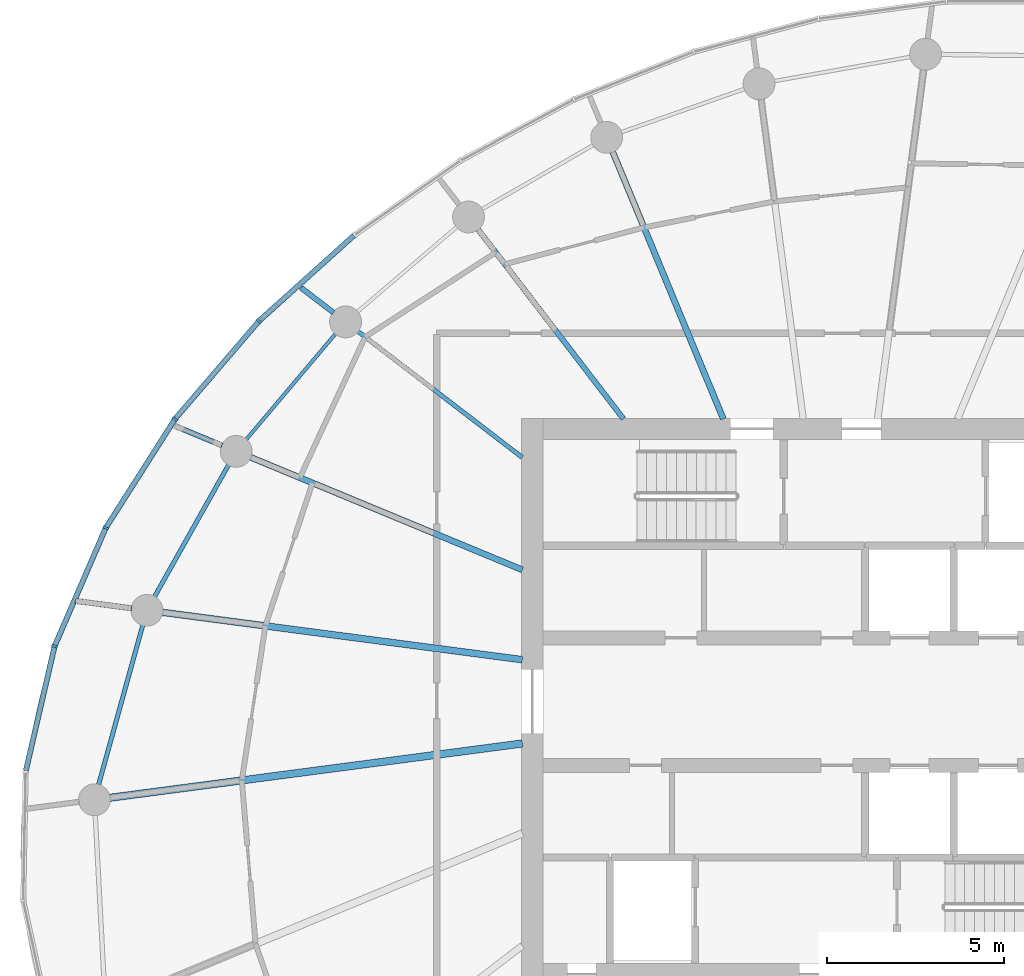
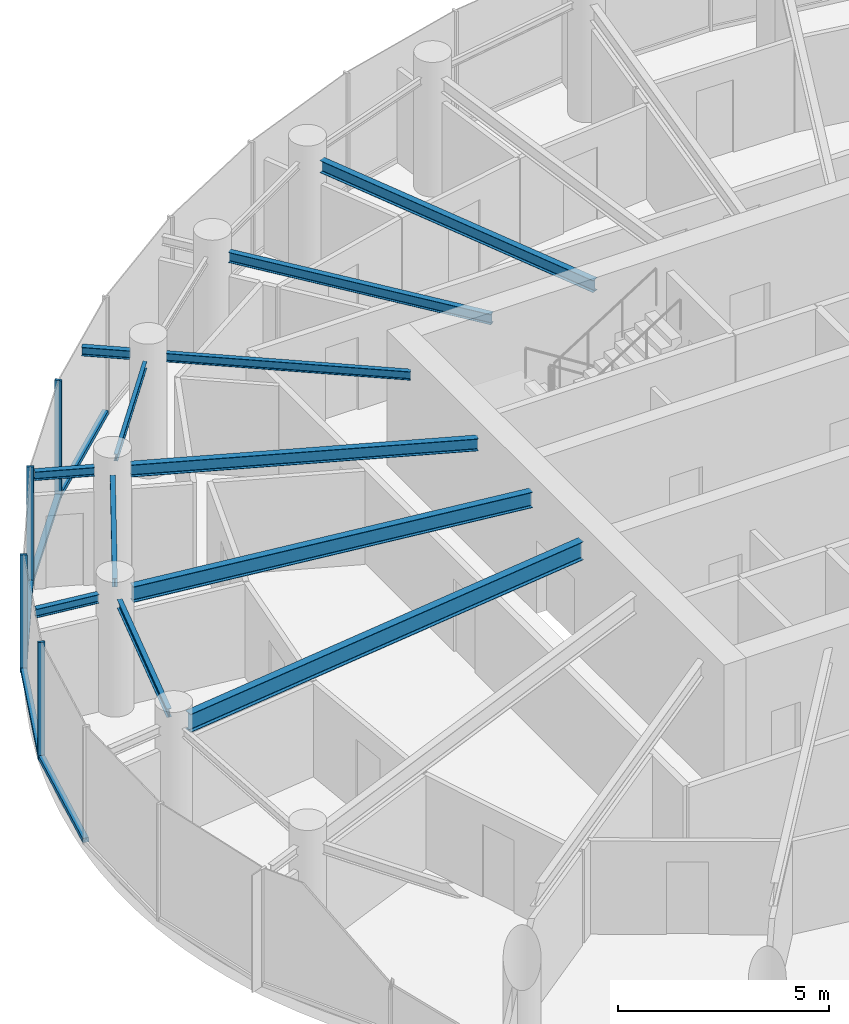
# One storey, part 4 of 14: 12 beams, 9 members, 2 elements without a shape of their own.
"""IFC4 building model written with IfcOpenShell, lengths in metres."""

from ifc_helpers import new_model, si_unit, direction, frame, origin, origin_2d, place, context, subcontext, project, spatial, rectangle, i_section, extrude, source, transform, mapped, material, layer, layer_set, material_profile, profile_set, type_object, element, aggregate, save


model = new_model("IFC4")

# Units and contexts
model_context = context("Model", 3, precision=1e-05, world=origin(), true_north=direction((0.0, 1.0)))
body_context = subcontext(model_context, "Body", "Model", "MODEL_VIEW")
ifc_project = project(units=[si_unit("LENGTHUNIT", "METRE"), si_unit("AREAUNIT", "SQUARE_METRE"), si_unit("VOLUMEUNIT", "CUBIC_METRE"), si_unit("PLANEANGLEUNIT", "RADIAN"), si_unit("MASSUNIT", "GRAM", prefix="KILO")], contexts=[model_context])

# Site, building, storey
site_placement = place(None, origin())
site = spatial("IfcSite", under=ifc_project, at=site_placement, CompositionType="ELEMENT")
building_placement = place(site_placement, origin())
building = spatial("IfcBuilding", under=site, at=building_placement, Name="Spindrift Exchange Tower", CompositionType="ELEMENT")
storey_placement = place(building_placement, frame((0.0, 0.0, 226.699951171875)))
storey = spatial("IfcBuildingStorey", under=building, at=storey_placement, Name="L55", CompositionType="ELEMENT", Elevation=226.699951171875)

# Beams
ifc_material_1 = material(Name="Steel Grade 300", Category="steel")
ifc_material_profile_1 = material_profile(ifc_material_1, i_section(OverallWidth=0.208984375, OverallDepth=0.528076171875, WebThickness=0.009521484375, FlangeThickness=0.01318359375, FilletRadius=0.013916015625, at=origin_2d()), Name="530UB82.0")
ifc_profile_set_1 = profile_set([ifc_material_profile_1], Name="Steel Grade 300")
beam_type_1 = type_object("IfcBeamType", Name="Floor Beam 530UB82.0 Steel Grade 300", PredefinedType="BEAM", material=ifc_profile_set_1)
shared_shape_1 = source(origin(), body_context, "Body", "SweptSolid", [
    extrude(i_section(OverallWidth=0.208984375, OverallDepth=0.528076171875, WebThickness=0.009521484375, FlangeThickness=0.01318359375, FilletRadius=0.013916015625, at=origin_2d()), origin(), (0.0, 0.0, 1.0), 11.75634765625),
])
beam_1_placement = place(storey_placement, frame((43.019775390625, 46.817626953125, 3.135986328125), z_axis=(-0.991445811455, -0.13051897543, 0.0), x_axis=(0.13051897543, -0.991445811455, 0.0)))
element("IfcBeam", 1, at=beam_1_placement, inside=storey, type_object=beam_type_1, Name="L55 radial beam R13A", PredefinedType="BEAM", context=body_context, shape_type="MappedRepresentation", body=[
    mapped(shared_shape_1, transform((0.0, 0.0, 0.0), scale=1.0)),
])
ifc_material_profile_2 = material_profile(ifc_material_1, i_section(OverallWidth=0.1708984375, OverallDepth=0.35205078125, WebThickness=0.0068359375, FlangeThickness=0.009765625, FilletRadius=0.013916015625, at=origin_2d()), Name="360UB44.7")
ifc_profile_set_2 = profile_set([ifc_material_profile_2], Name="Steel Grade 300")
beam_type_2 = type_object("IfcBeamType", Name="Floor Beam 360UB44.7 Steel Grade 300", PredefinedType="BEAM", material=ifc_profile_set_2)
shared_shape_2 = source(origin(), body_context, "Body", "SweptSolid", [
    extrude(i_section(OverallWidth=0.1708984375, OverallDepth=0.35205078125, WebThickness=0.0068359375, FlangeThickness=0.009765625, FilletRadius=0.013916015625, at=origin_2d()), origin(), (0.0, 0.0, 1.0), 8.1748046875),
])
beam_2_placement = place(storey_placement, frame((48.69384765625, 55.9814453125, 3.22412109375), z_axis=(-0.382655117626, 0.923891260352, 0.0), x_axis=(-0.923891260352, -0.382655117626, 0.0)))
element("IfcBeam", 2, at=beam_2_placement, inside=storey, type_object=beam_type_2, Name="L55 radial beam R08A", PredefinedType="BEAM", context=body_context, shape_type="MappedRepresentation", body=[
    mapped(shared_shape_2, transform((0.0, 0.0, 0.0), scale=1.0)),
])
ifc_material_profile_3 = material_profile(ifc_material_1, i_section(OverallWidth=0.14892578125, OverallDepth=0.298095703125, WebThickness=0.005615234375, FlangeThickness=0.008056640625, FilletRadius=0.012939453125, at=origin_2d()), Name="310UB32.0")
ifc_profile_set_3 = profile_set([ifc_material_profile_3], Name="Steel Grade 300")
beam_type_3 = type_object("IfcBeamType", Name="Floor Beam 310UB32.0 Steel Grade 300", PredefinedType="BEAM", material=ifc_profile_set_3)
shared_shape_3 = source(origin(), body_context, "Body", "SweptSolid", [
    extrude(i_section(OverallWidth=0.14892578125, OverallDepth=0.298095703125, WebThickness=0.005615234375, FlangeThickness=0.008056640625, FilletRadius=0.012939453125, at=origin_2d()), origin(), (0.0, 0.0, 1.0), 6.753173828125),
])
beam_3_placement = place(storey_placement, frame((45.87353515625, 55.984130859375, 3.2509765625), z_axis=(-0.608761639459, 0.793353178807, 0.0), x_axis=(-0.793353178807, -0.608761639459, 0.0)))
element("IfcBeam", 3, at=beam_3_placement, inside=storey, type_object=beam_type_3, Name="L55 radial beam R09A", PredefinedType="BEAM", context=body_context, shape_type="MappedRepresentation", body=[
    mapped(shared_shape_3, transform((0.0, 0.0, 0.0), scale=1.0)),
])
ifc_material_profile_4 = material_profile(ifc_material_1, i_section(OverallWidth=0.1240234375, OverallDepth=0.248046875, WebThickness=0.0048828125, FlangeThickness=0.008056640625, FilletRadius=0.011962890625, at=origin_2d()), Name="250UB25.7")
ifc_profile_set_4 = profile_set([ifc_material_profile_4], Name="Steel Grade 300")
beam_type_4 = type_object("IfcBeamType", Name="Floor Beam 250UB25.7 Steel Grade 300", PredefinedType="BEAM", material=ifc_profile_set_4)
shared_shape_4 = source(origin(), body_context, "Body", "SweptSolid", [
    extrude(i_section(OverallWidth=0.1240234375, OverallDepth=0.248046875, WebThickness=0.0048828125, FlangeThickness=0.008056640625, FilletRadius=0.011962890625, at=origin_2d()), origin(), (0.0, 0.0, 1.0), 5.855712890625),
])
beam_4_placement = place(storey_placement, frame((43.015869140625, 54.893798828125, 3.276123046875), z_axis=(-0.793362708479, 0.608749219954, 0.0), x_axis=(-0.608749219954, -0.793362708479, 0.0)))
element("IfcBeam", 4, at=beam_4_placement, inside=storey, type_object=beam_type_4, Name="L55 radial beam R10A", PredefinedType="BEAM", context=body_context, shape_type="MappedRepresentation", body=[
    mapped(shared_shape_4, transform((0.0, 0.0, 0.0), scale=1.0)),
])
shared_shape_5 = source(origin(), body_context, "Body", "SweptSolid", [
    extrude(i_section(OverallWidth=0.1708984375, OverallDepth=0.35205078125, WebThickness=0.0068359375, FlangeThickness=0.009765625, FilletRadius=0.013916015625, at=origin_2d()), origin(), (0.0, 0.0, 1.0), 8.3134765625),
])
beam_5_placement = place(storey_placement, frame((43.0185546875, 51.72021484375, 3.22412109375), z_axis=(-0.923881179957, 0.382679455055, 0.0), x_axis=(-0.382679455055, -0.923881179957, 0.0)))
element("IfcBeam", 5, at=beam_5_placement, inside=storey, type_object=beam_type_2, Name="L55 radial beam R11A", PredefinedType="BEAM", context=body_context, shape_type="MappedRepresentation", body=[
    mapped(shared_shape_5, transform((0.0, 0.0, 0.0), scale=1.0)),
])
ifc_material_profile_5 = material_profile(ifc_material_1, i_section(OverallWidth=0.18994140625, OverallDepth=0.4541015625, WebThickness=0.008544921875, FlangeThickness=0.0126953125, FilletRadius=0.013916015625, at=origin_2d()), Name="460UB67.1")
ifc_profile_set_5 = profile_set([ifc_material_profile_5], Name="Steel Grade 300")
beam_type_5 = type_object("IfcBeamType", Name="Floor Beam 460UB67.1 Steel Grade 300", PredefinedType="BEAM", material=ifc_profile_set_5)
shared_shape_6 = source(origin(), body_context, "Body", "SweptSolid", [
    extrude(i_section(OverallWidth=0.18994140625, OverallDepth=0.4541015625, WebThickness=0.008544921875, FlangeThickness=0.0126953125, FilletRadius=0.013916015625, at=origin_2d()), origin(), (0.0, 0.0, 1.0), 10.262451171875),
])
beam_6_placement = place(storey_placement, frame((43.019775390625, 49.182373046875, 3.173095703125), z_axis=(-0.991446763371, 0.130511744304, 0.0), x_axis=(-0.130511744304, -0.991446763371, 0.0)))
element("IfcBeam", 6, at=beam_6_placement, inside=storey, type_object=beam_type_5, Name="L55 radial beam R12A", PredefinedType="BEAM", context=body_context, shape_type="MappedRepresentation", body=[
    mapped(shared_shape_6, transform((0.0, 0.0, 0.0), scale=1.0)),
])
ifc_material_profile_6 = material_profile(ifc_material_1, i_section(OverallWidth=0.09912109375, OverallDepth=0.197998046875, WebThickness=0.00439453125, FlangeThickness=0.007080078125, FilletRadius=0.010986328125, at=origin_2d()), Name="200UB18.2")
ifc_profile_set_6 = profile_set([ifc_material_profile_6], Name="Steel Grade 300")
beam_type_6 = type_object("IfcBeamType", Name="Edge Beam 200UB18.2 Steel Grade 300", PredefinedType="SPANDREL", material=ifc_profile_set_6)
shared_shape_7 = source(origin(), body_context, "Body", "SweptSolid", [
    extrude(i_section(OverallWidth=0.09912109375, OverallDepth=0.197998046875, WebThickness=0.00439453125, FlangeThickness=0.007080078125, FilletRadius=0.010986328125, at=origin_2d()), origin(), (0.0, 0.0, 1.0), 3.92431640625),
])
beam_7_placement = place(storey_placement, frame((37.75146484375, 58.391845703125, 3.301025390625), z_axis=(-0.645498720032, -0.763761351757, 0.0), x_axis=(0.763761351757, -0.645498720032, 0.0)))
element("IfcBeam", 7, at=beam_7_placement, inside=storey, type_object=beam_type_6, Name="L55 edge beam E10", PredefinedType="SPANDREL", context=body_context, shape_type="MappedRepresentation", body=[
    mapped(shared_shape_7, transform((0.0, 0.0, 0.0), scale=1.0)),
])
ifc_material_profile_7 = material_profile(ifc_material_1, i_section(OverallWidth=0.1240234375, OverallDepth=0.248046875, WebThickness=0.0048828125, FlangeThickness=0.008056640625, FilletRadius=0.011962890625, at=origin_2d()), Name="250UB25.7")
ifc_profile_set_7 = profile_set([ifc_material_profile_7], Name="Steel Grade 300")
beam_type_7 = type_object("IfcBeamType", Name="Edge Beam 250UB25.7 Steel Grade 300", PredefinedType="SPANDREL", material=ifc_profile_set_7)
shared_shape_8 = source(origin(), body_context, "Body", "SweptSolid", [
    extrude(i_section(OverallWidth=0.1240234375, OverallDepth=0.248046875, WebThickness=0.0048828125, FlangeThickness=0.008056640625, FilletRadius=0.011962890625, at=origin_2d()), origin(), (0.0, 0.0, 1.0), 4.2880859375),
])
beam_8_placement = place(storey_placement, frame((34.72998046875, 54.69140625, 3.276123046875), z_axis=(-0.489804347673, -0.871832381253, 0.0), x_axis=(0.871832381253, -0.489804347673, 0.0)))
element("IfcBeam", 8, at=beam_8_placement, inside=storey, type_object=beam_type_7, Name="L55 edge beam E11", PredefinedType="SPANDREL", context=body_context, shape_type="MappedRepresentation", body=[
    mapped(shared_shape_8, transform((0.0, 0.0, 0.0), scale=1.0)),
])
shared_shape_9 = source(origin(), body_context, "Body", "SweptSolid", [
    extrude(i_section(OverallWidth=0.1240234375, OverallDepth=0.248046875, WebThickness=0.0048828125, FlangeThickness=0.008056640625, FilletRadius=0.011962890625, at=origin_2d()), origin(), (0.0, 0.0, 1.0), 4.69189453125),
])
beam_9_placement = place(storey_placement, frame((32.30419921875, 50.16357421875, 3.276123046875), z_axis=(-0.266774248618, -0.963759046792, 0.0), x_axis=(0.963759046792, -0.266774248618, 0.0)))
element("IfcBeam", 9, at=beam_9_placement, inside=storey, type_object=beam_type_7, Name="L55 edge beam E12", PredefinedType="SPANDREL", context=body_context, shape_type="MappedRepresentation", body=[
    mapped(shared_shape_9, transform((0.0, 0.0, 0.0), scale=1.0)),
])
ifc_material_profile_8 = material_profile(ifc_material_1, i_section(OverallWidth=0.14599609375, OverallDepth=0.251953125, WebThickness=0.006103515625, FlangeThickness=0.008544921875, FilletRadius=0.011962890625, at=origin_2d()), Name="250UB31.4")
ifc_profile_set_8 = profile_set([ifc_material_profile_8], Name="Steel Grade 300")
beam_type_8 = type_object("IfcBeamType", Name="Cantilever Beam 250UB31.4 Steel Grade 300", PredefinedType="BEAM", material=ifc_profile_set_8)
shared_shape_10 = source(origin(), body_context, "Body", "SweptSolid", [
    extrude(i_section(OverallWidth=0.14599609375, OverallDepth=0.251953125, WebThickness=0.006103515625, FlangeThickness=0.008544921875, FilletRadius=0.011962890625, at=origin_2d()), origin(), (0.0, 0.0, 1.0), 1.15576171875),
])
beam_10_placement = place(storey_placement, frame((37.68798828125, 58.982177734375, 3.274169921875), z_axis=(-0.793463533488, 0.608617795521, 0.0), x_axis=(-0.608617795521, -0.793463533488, 0.0)))
element("IfcBeam", 10, at=beam_10_placement, inside=storey, type_object=beam_type_8, Name="L55 cantilever beam R10T", PredefinedType="BEAM", context=body_context, shape_type="MappedRepresentation", body=[
    mapped(shared_shape_10, transform((0.0, 0.0, 0.0), scale=1.0)),
])
shared_shape_11 = source(origin(), body_context, "Body", "SweptSolid", [
    extrude(i_section(OverallWidth=0.14599609375, OverallDepth=0.251953125, WebThickness=0.006103515625, FlangeThickness=0.008544921875, FilletRadius=0.011962890625, at=origin_2d()), origin(), (0.0, 0.0, 1.0), 1.442138671875),
])
beam_11_placement = place(storey_placement, frame((34.543212890625, 55.230712890625, 3.274169921875), z_axis=(-0.923841425001, 0.382775419081, 0.0), x_axis=(-0.382775419081, -0.923841425001, 0.0)))
element("IfcBeam", 11, at=beam_11_placement, inside=storey, type_object=beam_type_8, Name="L55 cantilever beam R11T", PredefinedType="BEAM", context=body_context, shape_type="MappedRepresentation", body=[
    mapped(shared_shape_11, transform((0.0, 0.0, 0.0), scale=1.0)),
])
shared_shape_12 = source(origin(), body_context, "Body", "SweptSolid", [
    extrude(i_section(OverallWidth=0.14599609375, OverallDepth=0.251953125, WebThickness=0.006103515625, FlangeThickness=0.008544921875, FilletRadius=0.011962890625, at=origin_2d()), origin(), (0.0, 0.0, 1.0), 1.611572265625),
])
beam_12_placement = place(storey_placement, frame((31.99267578125, 50.634033203125, 3.274169921875), z_axis=(-0.991435721486, 0.130595597787, 0.0), x_axis=(-0.130595597787, -0.991435721486, 0.0)))
element("IfcBeam", 12, at=beam_12_placement, inside=storey, type_object=beam_type_8, Name="L55 cantilever beam R12T", PredefinedType="BEAM", context=body_context, shape_type="MappedRepresentation", body=[
    mapped(shared_shape_12, transform((0.0, 0.0, 0.0), scale=1.0)),
])

# Curtain wall, members
ifc_material_2 = material(Name="Fritted laminated glass with bronze frame", Category="glass")
ifc_layer = layer(ifc_material_2, 0.169921875)
ifc_layer_set = layer_set([ifc_layer], Name="ZONE 4 BRONZE FRITTED WALL")
curtain_wall_type = type_object("IfcCurtainWallType", Name="ZONE 4 BRONZE FRITTED WALL", PredefinedType="NOTDEFINED", material=ifc_layer_set)
curtain_wall_1_placement = place(storey_placement, origin())
curtain_wall_1 = element("IfcCurtainWall", 13, at=curtain_wall_1_placement, inside=storey, type_object=curtain_wall_type, Name="L55 Zone 4 Bronze Fritted Wall run 3", PredefinedType="NOTDEFINED")
ifc_material_3 = material(Name="Bronze anodised aluminium", Category="aluminium")
ifc_material_profile_9 = material_profile(ifc_material_3, rectangle(XDim=0.14990234375, YDim=0.125, at=origin_2d()), Name="ZONE 4 BRONZE FRITTED WALL TRANSOM 150X125")
ifc_profile_set_9 = profile_set([ifc_material_profile_9], Name="Bronze anodised aluminium")
member_type_1 = type_object("IfcMemberType", Name="ZONE 4 BRONZE FRITTED WALL TRANSOM 150X125", PredefinedType="USERDEFINED", material=ifc_profile_set_9)
shared_shape_13 = source(origin(), body_context, "Body", "SweptSolid", [
    extrude(rectangle(XDim=0.14990234375, YDim=0.125, at=origin_2d()), origin(), (0.0, 0.0, 1.0), 3.5771484375),
])
member_1_placement = place(storey_placement, frame((35.56103515625, 58.7197265625, 0.0625), z_axis=(-0.650470951745, -0.759531132302, 0.0), x_axis=(0.759531132302, -0.650470951745, 0.0)))
member_1 = element("IfcMember", 14, at=member_1_placement, type_object=member_type_1, Name="L55 transom CW-4.13", ObjectType="TRANSOM", PredefinedType="USERDEFINED", context=body_context, shape_type="MappedRepresentation", body=[
    mapped(shared_shape_13, transform((0.0, 0.0, 0.0), scale=1.0)),
])
shared_shape_14 = source(origin(), body_context, "Body", "SweptSolid", [
    extrude(rectangle(XDim=0.14990234375, YDim=0.125, at=origin_2d()), origin(), (0.0, 0.0, 1.0), 3.575439453125),
])
member_2_placement = place(storey_placement, frame((31.2451171875, 52.8759765625, 0.0625), z_axis=(-0.396925143263, -0.917850984989, 0.0), x_axis=(0.917850984989, -0.396925143263, 0.0)))
member_2 = element("IfcMember", 15, at=member_2_placement, type_object=member_type_1, Name="L55 transom CW-4.15", ObjectType="TRANSOM", PredefinedType="USERDEFINED", context=body_context, shape_type="MappedRepresentation", body=[
    mapped(shared_shape_14, transform((0.0, 0.0, 0.0), scale=1.0)),
])

# Curtain wall, member
curtain_wall_2_placement = place(storey_placement, origin())
curtain_wall_2 = element("IfcCurtainWall", 16, at=curtain_wall_2_placement, inside=storey, type_object=curtain_wall_type, Name="L55 Zone 4 Bronze Fritted Wall run 2", PredefinedType="NOTDEFINED")
shared_shape_15 = source(origin(), body_context, "Body", "SweptSolid", [
    extrude(rectangle(XDim=0.14990234375, YDim=0.125, at=origin_2d()), origin(), (0.0, 0.0, 1.0), 3.577392578125),
])
member_3_placement = place(storey_placement, frame((38.26416015625, 61.16064453125, 0.0625), z_axis=(-0.742964904844, -0.669330374457, 0.0), x_axis=(0.669330374457, -0.742964904844, 0.0)))
member_3 = element("IfcMember", 17, at=member_3_placement, type_object=member_type_1, Name="L55 transom CW-4.12", ObjectType="TRANSOM", PredefinedType="USERDEFINED", context=body_context, shape_type="MappedRepresentation", body=[
    mapped(shared_shape_15, transform((0.0, 0.0, 0.0), scale=1.0)),
])
aggregate(curtain_wall_2, [member_3])

# Member
shared_shape_16 = source(origin(), body_context, "Body", "SweptSolid", [
    extrude(rectangle(XDim=0.14990234375, YDim=0.125, at=origin_2d()), origin(), (0.0, 0.0, 1.0), 3.57421875),
])
member_4_placement = place(storey_placement, frame((29.8056640625, 49.53271484375, 0.0625), z_axis=(-0.224994194389, -0.974360104115, 0.0), x_axis=(0.974360104115, -0.224994194389, 0.0)))
member_4 = element("IfcMember", 18, at=member_4_placement, type_object=member_type_1, Name="L55 transom CW-4.16", ObjectType="TRANSOM", PredefinedType="USERDEFINED", context=body_context, shape_type="MappedRepresentation", body=[
    mapped(shared_shape_16, transform((0.0, 0.0, 0.0), scale=1.0)),
])

shared_shape_17 = source(origin(), body_context, "Body", "SweptSolid", [
    extrude(rectangle(XDim=0.14990234375, YDim=0.125, at=origin_2d()), origin(), (0.0, 0.0, 1.0), 3.576416015625),
])
member_5_placement = place(storey_placement, frame((33.195556640625, 55.95068359375, 0.0625), z_axis=(-0.53688432613, -0.843655866071, 0.0), x_axis=(0.843655866071, -0.53688432613, 0.0)))
member_5 = element("IfcMember", 19, at=member_5_placement, type_object=member_type_1, Name="L55 transom CW-4.14", ObjectType="TRANSOM", PredefinedType="USERDEFINED", context=body_context, shape_type="MappedRepresentation", body=[
    mapped(shared_shape_17, transform((0.0, 0.0, 0.0), scale=1.0)),
])

ifc_material_profile_10 = material_profile(ifc_material_3, rectangle(XDim=0.06494140625, YDim=0.169921875, at=origin_2d()), Name="ZONE 4 BRONZE FRITTED WALL MULLION 65X170")
ifc_profile_set_10 = profile_set([ifc_material_profile_10], Name="Bronze anodised aluminium")
member_type_2 = type_object("IfcMemberType", Name="ZONE 4 BRONZE FRITTED WALL MULLION 65X170", PredefinedType="MULLION", material=ifc_profile_set_10)
shared_shape_18 = source(origin(), body_context, "Body", "SweptSolid", [
    extrude(rectangle(XDim=0.06494140625, YDim=0.169921875, at=origin_2d()), origin(), (0.0, 0.0, 1.0), 3.400146484375),
])
member_6_placement = place(storey_placement, frame((35.58203125, 58.744384765625, 0.0), z_axis=(0.0, 0.0, 1.0), x_axis=(-0.698182794884, -0.715919538026, 0.0)))
member_6 = element("IfcMember", 20, at=member_6_placement, type_object=member_type_2, Name="L55 mullion CW-4.13", PredefinedType="MULLION", context=body_context, shape_type="MappedRepresentation", body=[
    mapped(shared_shape_18, transform((0.0, 0.0, 0.0), scale=1.0)),
])

member_7_placement = place(storey_placement, frame((33.212890625, 55.97802734375, 0.0), z_axis=(0.0, 0.0, 1.0), x_axis=(-0.595168378051, -0.803601021508, 0.0)))
member_7 = element("IfcMember", 21, at=member_7_placement, type_object=member_type_2, Name="L55 mullion CW-4.14", PredefinedType="MULLION", context=body_context, shape_type="MappedRepresentation", body=[
    mapped(shared_shape_18, transform((0.0, 0.0, 0.0), scale=1.0)),
])

member_8_placement = place(storey_placement, frame((31.2578125, 52.906005859375, 0.0), z_axis=(0.0, 0.0, 1.0), x_axis=(-0.468363220078, -0.88353601742, 0.0)))
member_8 = element("IfcMember", 22, at=member_8_placement, type_object=member_type_2, Name="L55 mullion CW-4.15", PredefinedType="MULLION", context=body_context, shape_type="MappedRepresentation", body=[
    mapped(shared_shape_18, transform((0.0, 0.0, 0.0), scale=1.0)),
])

member_9_placement = place(storey_placement, frame((29.81298828125, 49.564453125, 0.0), z_axis=(0.0, 0.0, 1.0), x_axis=(-0.312237294391, -0.950004143144, 0.0)))
member_9 = element("IfcMember", 23, at=member_9_placement, type_object=member_type_2, Name="L55 mullion CW-4.16", PredefinedType="MULLION", context=body_context, shape_type="MappedRepresentation", body=[
    mapped(shared_shape_18, transform((0.0, 0.0, 0.0), scale=1.0)),
])

aggregate(curtain_wall_1, [member_6, member_1, member_7, member_5, member_8, member_2, member_9, member_4])

save(model, "model.ifc")
